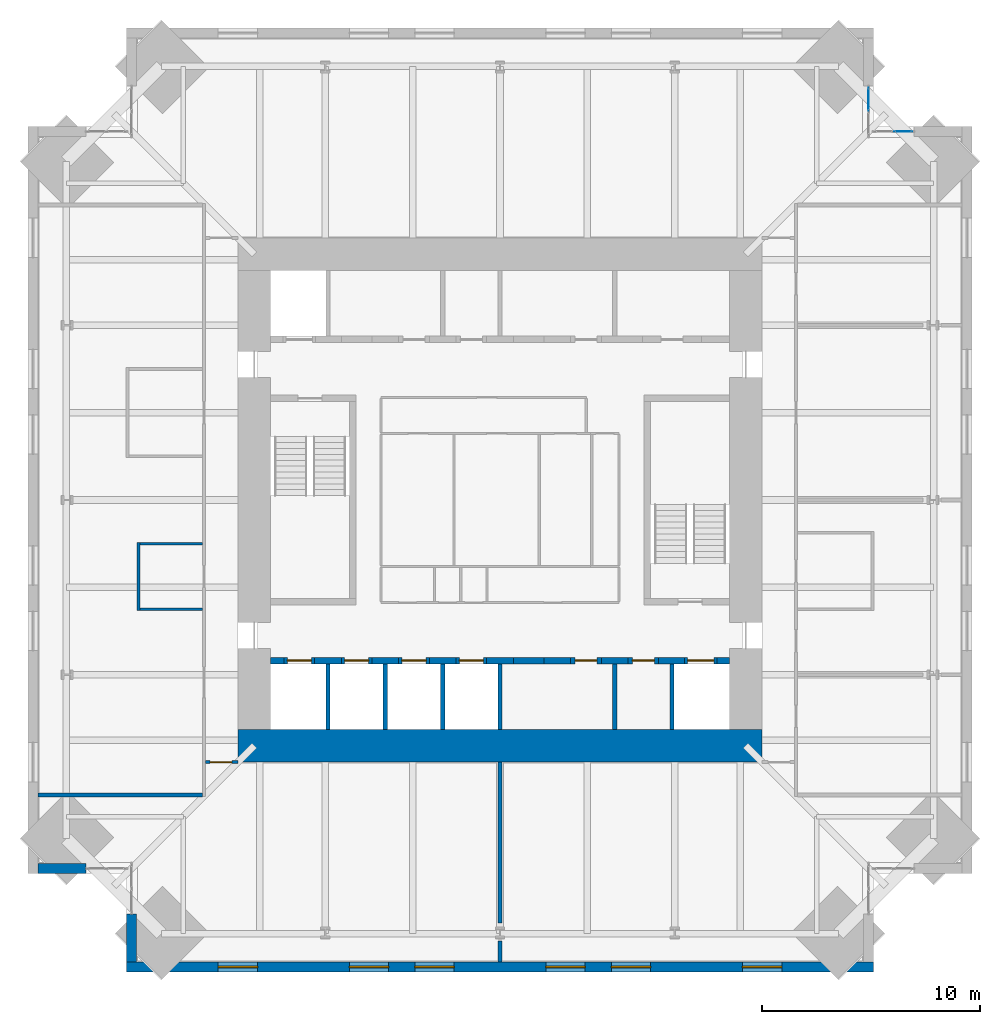
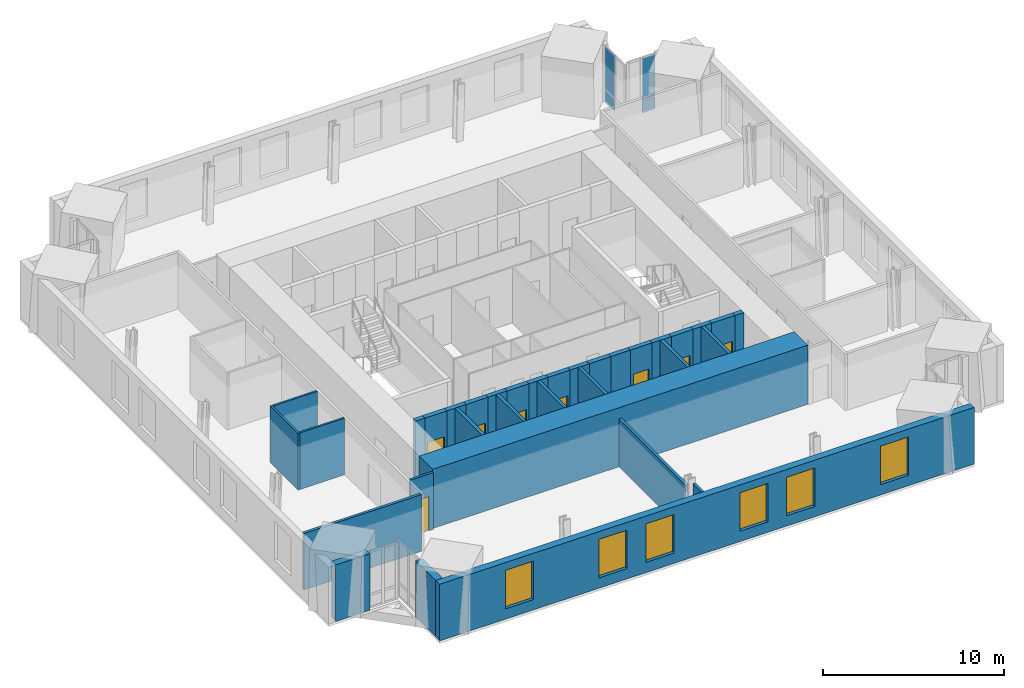
# One storey, part 11 of 16: 34 walls, 8 doors, 6 windows, 4 plates, 14 openings, 2 elements without a shape of their own.
"""IFC4 building model written with IfcOpenShell, lengths in metres."""

from ifc_helpers import new_model, si_unit, direction, frame, frame_2d, origin, origin_2d, place, context, subcontext, project, spatial, rectangle, extrude, material, layer, layer_set, type_object, element, fill, aggregate, save


model = new_model("IFC4")

# Units and contexts
model_context = context("Model", 3, precision=1e-05, world=origin(), true_north=direction((0.0, 1.0)))
body_context = subcontext(model_context, "Body", "Model", "MODEL_VIEW")
ifc_project = project(units=[si_unit("LENGTHUNIT", "METRE"), si_unit("AREAUNIT", "SQUARE_METRE"), si_unit("VOLUMEUNIT", "CUBIC_METRE"), si_unit("PLANEANGLEUNIT", "RADIAN"), si_unit("MASSUNIT", "GRAM", prefix="KILO")], contexts=[model_context])

# Site, building, storey
site_placement = place(None, origin())
site = spatial("IfcSite", under=ifc_project, at=site_placement, CompositionType="ELEMENT")
building_placement = place(site_placement, origin())
building = spatial("IfcBuilding", under=site, at=building_placement, Name="Peilmerk Tower", CompositionType="ELEMENT")
storey_placement = place(building_placement, frame((0.0, 0.0, 273.800048828125)))
storey = spatial("IfcBuildingStorey", under=building, at=storey_placement, Name="L61", CompositionType="ELEMENT", Elevation=273.800048828125)

# Curtain wall, plates
ifc_material_1 = material(Name="Aluminium stick curtain wall", Category="aluminium")
curtain_wall_type = type_object("IfcCurtainWallType", Name="CW4 stick curtain wall, 2250 module", PredefinedType="NOTDEFINED", material=ifc_material_1)
curtain_wall_1_placement = place(storey_placement, origin())
curtain_wall_1 = element("IfcCurtainWall", 1, at=curtain_wall_1_placement, inside=storey, type_object=curtain_wall_type, Name="Curtain wall CW4 NEA L61", PredefinedType="NOTDEFINED")
ifc_material_2 = material(Name="Clear insulated glazing unit", Category="glass")
ifc_layer_1 = layer(ifc_material_2, 0.028076171875)
ifc_layer_set_1 = layer_set([ifc_layer_1], Name="Clear insulated glazing unit")
plate_type = type_object("IfcPlateType", Name="CW4-P 28 glazed panel", PredefinedType="CURTAIN_PANEL", material=ifc_layer_set_1)
plate_1_placement = place(storey_placement, frame((16.875, 18.350341796875, 0.06494140625), z_axis=(0.0, 0.0, 1.0), x_axis=(0.0, 1.0, 0.0)))
plate_1 = element("IfcPlate", 2, at=plate_1_placement, type_object=plate_type, Name="CW4 panel 2.1", PredefinedType="CURTAIN_PANEL", context=body_context, shape_type="SweptSolid", body=[
    extrude(rectangle(XDim=1.046875, YDim=0.028076171875, at=origin_2d()), origin(), (0.0, 0.0, 1.0), 0.802490234375),
])
plate_2_placement = place(storey_placement, frame((16.875, 18.350341796875, 0.932373046875), z_axis=(0.0, 0.0, 1.0), x_axis=(0.0, 1.0, 0.0)))
plate_2 = element("IfcPlate", 3, at=plate_2_placement, type_object=plate_type, Name="CW4 panel 2.2", PredefinedType="CURTAIN_PANEL", context=body_context, shape_type="SweptSolid", body=[
    extrude(rectangle(XDim=1.046875, YDim=0.028076171875, at=origin_2d()), origin(), (0.0, 0.0, 1.0), 2.83251953125),
])
aggregate(curtain_wall_1, [plate_1, plate_2])

curtain_wall_2_placement = place(storey_placement, origin())
curtain_wall_2 = element("IfcCurtainWall", 4, at=curtain_wall_2_placement, inside=storey, type_object=curtain_wall_type, Name="Curtain wall CW4 NEB L61", PredefinedType="NOTDEFINED")
plate_3_placement = place(storey_placement, frame((18.462646484375, 16.875, 0.06494140625), z_axis=(0.0, 0.0, 1.0), x_axis=(1.0, 0.0, 0.0)))
plate_3 = element("IfcPlate", 5, at=plate_3_placement, type_object=plate_type, Name="CW4 panel 2.1", PredefinedType="CURTAIN_PANEL", context=body_context, shape_type="SweptSolid", body=[
    extrude(rectangle(XDim=0.82177734375, YDim=0.028076171875, at=origin_2d()), origin(), (0.0, 0.0, 1.0), 0.802490234375),
])
plate_4_placement = place(storey_placement, frame((18.462646484375, 16.875, 0.932373046875), z_axis=(0.0, 0.0, 1.0), x_axis=(1.0, 0.0, 0.0)))
plate_4 = element("IfcPlate", 6, at=plate_4_placement, type_object=plate_type, Name="CW4 panel 2.2", PredefinedType="CURTAIN_PANEL", context=body_context, shape_type="SweptSolid", body=[
    extrude(rectangle(XDim=0.82177734375, YDim=0.028076171875, at=origin_2d()), origin(), (0.0, 0.0, 1.0), 2.83251953125),
])
aggregate(curtain_wall_2, [plate_3, plate_4])

# Wall, openings, windows
ifc_material_3 = material(Name="Precast concrete C45/55, board-marked finish", Category="concrete")
ifc_layer_2 = layer(ifc_material_3, 0.449951171875)
ifc_layer_set_2 = layer_set([ifc_layer_2], Name="Precast concrete C45/55, board-marked finish")
wall_type_1 = type_object("IfcWallType", Name="EW1 450 precast concrete facade wall, board-marked", PredefinedType="SOLIDWALL", material=ifc_layer_set_2)
wall_1_placement = place(storey_placement, frame((-17.10009765625, -21.375, 0.0), z_axis=(0.0, 0.0, 1.0), x_axis=(1.0, 0.0, 0.0)))
wall_1 = element("IfcWall", 7, at=wall_1_placement, inside=storey, type_object=wall_type_1, Name="Facade wall S L61", PredefinedType="SOLIDWALL", context=body_context, shape_type="SweptSolid", body=[
    extrude(rectangle(XDim=34.2001953125, YDim=0.449951171875, at=frame_2d((17.10009765625, 0.0))), origin(), (0.0, 0.0, 1.0), 3.829833984375),
])
opening_1_placement = place(wall_1_placement, frame((4.199951171875, 0.0, 0.699951171875)))
opening_1 = element("IfcOpeningElement", 8, at=opening_1_placement, cuts=wall_1, Name="Opening W1", PredefinedType="OPENING", context=body_context, shape_type="SweptSolid", body=[
    extrude(rectangle(XDim=1.800048828125, YDim=2.60009765625, at=frame_2d((0.89990234375, 1.300048828125))), frame((0.0, 0.23486328125, 0.0), z_axis=(0.0, -1.0, 0.0), x_axis=(1.0, 0.0, 0.0)), (0.0, 0.0, 1.0), 0.469970703125),
])
opening_2_placement = place(wall_1_placement, frame((10.199951171875, 0.0, 0.699951171875)))
opening_2 = element("IfcOpeningElement", 9, at=opening_2_placement, cuts=wall_1, Name="Opening W1", PredefinedType="OPENING", context=body_context, shape_type="SweptSolid", body=[
    extrude(rectangle(XDim=1.800048828125, YDim=2.60009765625, at=frame_2d((0.89990234375, 1.300048828125))), frame((0.0, 0.23486328125, 0.0), z_axis=(0.0, -1.0, 0.0), x_axis=(1.0, 0.0, 0.0)), (0.0, 0.0, 1.0), 0.469970703125),
])
opening_3_placement = place(wall_1_placement, frame((13.199951171875, 0.0, 0.699951171875)))
opening_3 = element("IfcOpeningElement", 10, at=opening_3_placement, cuts=wall_1, Name="Opening W1", PredefinedType="OPENING", context=body_context, shape_type="SweptSolid", body=[
    extrude(rectangle(XDim=1.800048828125, YDim=2.60009765625, at=frame_2d((0.89990234375, 1.300048828125))), frame((0.0, 0.23486328125, 0.0), z_axis=(0.0, -1.0, 0.0), x_axis=(1.0, 0.0, 0.0)), (0.0, 0.0, 1.0), 0.469970703125),
])
opening_4_placement = place(wall_1_placement, frame((19.199951171875, 0.0, 0.699951171875)))
opening_4 = element("IfcOpeningElement", 11, at=opening_4_placement, cuts=wall_1, Name="Opening W1", PredefinedType="OPENING", context=body_context, shape_type="SweptSolid", body=[
    extrude(rectangle(XDim=1.800048828125, YDim=2.60009765625, at=frame_2d((0.89990234375, 1.300048828125))), frame((0.0, 0.23486328125, 0.0), z_axis=(0.0, -1.0, 0.0), x_axis=(1.0, 0.0, 0.0)), (0.0, 0.0, 1.0), 0.469970703125),
])
opening_5_placement = place(wall_1_placement, frame((22.199951171875, 0.0, 0.699951171875)))
opening_5 = element("IfcOpeningElement", 12, at=opening_5_placement, cuts=wall_1, Name="Opening W1", PredefinedType="OPENING", context=body_context, shape_type="SweptSolid", body=[
    extrude(rectangle(XDim=1.800048828125, YDim=2.60009765625, at=frame_2d((0.89990234375, 1.300048828125))), frame((0.0, 0.23486328125, 0.0), z_axis=(0.0, -1.0, 0.0), x_axis=(1.0, 0.0, 0.0)), (0.0, 0.0, 1.0), 0.469970703125),
])
opening_6_placement = place(wall_1_placement, frame((28.199951171875, 0.0, 0.699951171875)))
opening_6 = element("IfcOpeningElement", 13, at=opening_6_placement, cuts=wall_1, Name="Opening W1", PredefinedType="OPENING", context=body_context, shape_type="SweptSolid", body=[
    extrude(rectangle(XDim=1.800048828125, YDim=2.60009765625, at=frame_2d((0.89990234375, 1.300048828125))), frame((0.0, 0.23486328125, 0.0), z_axis=(0.0, -1.0, 0.0), x_axis=(1.0, 0.0, 0.0)), (0.0, 0.0, 1.0), 0.469970703125),
])
ifc_material_4 = material(Name="Aluminium frame, clear double glazing", Category="aluminium")
window_type = type_object("IfcWindowType", Name="W1 1800x2600 office window", PartitioningType="SINGLE_PANEL", PredefinedType="WINDOW", material=ifc_material_4)
window_1_placement = place(opening_1_placement, origin())
window_1 = element("IfcWindow", 14, at=window_1_placement, inside=storey, type_object=window_type, Name="Window W1 L61", OverallHeight=2.60009765625, OverallWidth=1.800048828125, PartitioningType="SINGLE_PANEL", PredefinedType="WINDOW", context=body_context, shape_type="SweptSolid", body=[
    extrude(rectangle(XDim=1.800048828125, YDim=2.60009765625, at=frame_2d((0.89990234375, 1.300048828125))), frame((0.0, 0.030029296875, 0.0), z_axis=(0.0, -1.0, 0.0), x_axis=(1.0, 0.0, 0.0)), (0.0, 0.0, 1.0), 0.06005859375),
])
fill(opening_1, window_1)
window_2_placement = place(opening_2_placement, origin())
window_2 = element("IfcWindow", 15, at=window_2_placement, inside=storey, type_object=window_type, Name="Window W1 L61", OverallHeight=2.60009765625, OverallWidth=1.800048828125, PartitioningType="SINGLE_PANEL", PredefinedType="WINDOW", context=body_context, shape_type="SweptSolid", body=[
    extrude(rectangle(XDim=1.800048828125, YDim=2.60009765625, at=frame_2d((0.89990234375, 1.300048828125))), frame((0.0, 0.030029296875, 0.0), z_axis=(0.0, -1.0, 0.0), x_axis=(1.0, 0.0, 0.0)), (0.0, 0.0, 1.0), 0.06005859375),
])
fill(opening_2, window_2)
window_3_placement = place(opening_3_placement, origin())
window_3 = element("IfcWindow", 16, at=window_3_placement, inside=storey, type_object=window_type, Name="Window W1 L61", OverallHeight=2.60009765625, OverallWidth=1.800048828125, PartitioningType="SINGLE_PANEL", PredefinedType="WINDOW", context=body_context, shape_type="SweptSolid", body=[
    extrude(rectangle(XDim=1.800048828125, YDim=2.60009765625, at=frame_2d((0.89990234375, 1.300048828125))), frame((0.0, 0.030029296875, 0.0), z_axis=(0.0, -1.0, 0.0), x_axis=(1.0, 0.0, 0.0)), (0.0, 0.0, 1.0), 0.06005859375),
])
fill(opening_3, window_3)
window_4_placement = place(opening_4_placement, origin())
window_4 = element("IfcWindow", 17, at=window_4_placement, inside=storey, type_object=window_type, Name="Window W1 L61", OverallHeight=2.60009765625, OverallWidth=1.800048828125, PartitioningType="SINGLE_PANEL", PredefinedType="WINDOW", context=body_context, shape_type="SweptSolid", body=[
    extrude(rectangle(XDim=1.800048828125, YDim=2.60009765625, at=frame_2d((0.89990234375, 1.300048828125))), frame((0.0, 0.030029296875, 0.0), z_axis=(0.0, -1.0, 0.0), x_axis=(1.0, 0.0, 0.0)), (0.0, 0.0, 1.0), 0.06005859375),
])
fill(opening_4, window_4)
window_5_placement = place(opening_5_placement, origin())
window_5 = element("IfcWindow", 18, at=window_5_placement, inside=storey, type_object=window_type, Name="Window W1 L61", OverallHeight=2.60009765625, OverallWidth=1.800048828125, PartitioningType="SINGLE_PANEL", PredefinedType="WINDOW", context=body_context, shape_type="SweptSolid", body=[
    extrude(rectangle(XDim=1.800048828125, YDim=2.60009765625, at=frame_2d((0.89990234375, 1.300048828125))), frame((0.0, 0.030029296875, 0.0), z_axis=(0.0, -1.0, 0.0), x_axis=(1.0, 0.0, 0.0)), (0.0, 0.0, 1.0), 0.06005859375),
])
fill(opening_5, window_5)
window_6_placement = place(opening_6_placement, origin())
window_6 = element("IfcWindow", 19, at=window_6_placement, inside=storey, type_object=window_type, Name="Window W1 L61", OverallHeight=2.60009765625, OverallWidth=1.800048828125, PartitioningType="SINGLE_PANEL", PredefinedType="WINDOW", context=body_context, shape_type="SweptSolid", body=[
    extrude(rectangle(XDim=1.800048828125, YDim=2.60009765625, at=frame_2d((0.89990234375, 1.300048828125))), frame((0.0, 0.030029296875, 0.0), z_axis=(0.0, -1.0, 0.0), x_axis=(1.0, 0.0, 0.0)), (0.0, 0.0, 1.0), 0.06005859375),
])
fill(opening_6, window_6)

# Walls
for number, where, z_axis, x_axis, name in (
    (20, (-16.875, -18.95361328125, 0.0), (0.0, 0.0, 1.0), (0.0, -1.0, 0.0), "Facade wall SWA L61"),
    (21, (-18.95361328125, -16.875, 0.0), (0.0, 0.0, 1.0), (-1.0, 0.0, 0.0), "Facade wall SWB L61"),
):
    element("IfcWall", number, at=place(storey_placement, frame(where, z_axis=z_axis, x_axis=x_axis)), inside=storey, type_object=wall_type_1, Name=name, PredefinedType="SOLIDWALL", context=body_context, shape_type="SweptSolid", body=[
        extrude(rectangle(XDim=2.1962890625, YDim=0.449951171875, at=frame_2d((1.09814453125, 0.0))), origin(), (0.0, 0.0, 1.0), 3.829833984375),
    ])

# Wall, opening, door
ifc_material_5 = material(Name="Calcium silicate block", Category="masonry")
ifc_layer_3 = layer(ifc_material_5, 0.14990234375)
ifc_layer_set_3 = layer_set([ifc_layer_3], Name="Calcium silicate block")
wall_type_2 = type_object("IfcWallType", Name="IW1 150 corridor partition, EI 60", PredefinedType="PARTITIONING", material=ifc_layer_set_3)
wall_2_placement = place(storey_placement, frame((-12.0, -12.0, 0.0), z_axis=(0.0, 0.0, 1.0), x_axis=(-1.0, 0.0, 0.0)))
wall_2 = element("IfcWall", 22, at=wall_2_placement, inside=storey, type_object=wall_type_2, Name="Corridor wall SW L61", PredefinedType="PARTITIONING", context=body_context, shape_type="SweptSolid", body=[
    extrude(rectangle(XDim=1.47509765625, YDim=0.14990234375, at=frame_2d((0.737548828125, 0.0))), origin(), (0.0, 0.0, 1.0), 3.829833984375),
])
opening_7_placement = place(wall_2_placement, frame((0.27490234375, 0.0, 0.0)))
opening_7 = element("IfcOpeningElement", 23, at=opening_7_placement, cuts=wall_2, Name="Opening D1", PredefinedType="OPENING", context=body_context, shape_type="SweptSolid", body=[
    extrude(rectangle(XDim=1.0, YDim=2.300048828125, at=frame_2d((0.5, 1.14990234375))), frame((0.0, 0.0849609375, 0.0), z_axis=(0.0, -1.0, 0.0), x_axis=(1.0, 0.0, 0.0)), (0.0, 0.0, 1.0), 0.169921875),
])
ifc_material_6 = material(Name="Timber door in steel frame", Category="steel")
door_type_1 = type_object("IfcDoorType", Name="D1 1000x2300 room door, EI2 30", OperationType="SINGLE_SWING_LEFT", PredefinedType="DOOR", material=ifc_material_6)
door_1_placement = place(opening_7_placement, origin())
door_1 = element("IfcDoor", 24, at=door_1_placement, inside=storey, type_object=door_type_1, Name="Door Open workspace L61", OperationType="SINGLE_SWING_LEFT", OverallHeight=2.300048828125, OverallWidth=1.0, PredefinedType="DOOR", context=body_context, shape_type="SweptSolid", body=[
    extrude(rectangle(XDim=1.0, YDim=2.300048828125, at=frame_2d((0.5, 1.14990234375))), frame((0.0, 0.02490234375, 0.0), z_axis=(0.0, -1.0, 0.0), x_axis=(1.0, 0.0, 0.0)), (0.0, 0.0, 1.0), 0.050048828125),
])
fill(opening_7, door_1)

# Walls
ifc_material_7 = material(Name="Plasterboard on steel studs, double boarded with mineral wool", Category="steel")
ifc_layer_4 = layer(ifc_material_7, 0.125)
ifc_layer_set_4 = layer_set([ifc_layer_4], Name="Plasterboard on steel studs, double boarded with mineral wool")
wall_type_3 = type_object("IfcWallType", Name="IW7 125 acoustic partition, EI 30", PredefinedType="PARTITIONING", material=ifc_layer_set_4)
wall_3_placement = place(storey_placement, frame((-16.550048828125, -5.0625, 0.0), z_axis=(0.0, 0.0, 1.0), x_axis=(0.0, 1.0, 0.0)))
element("IfcWall", 25, at=wall_3_placement, inside=storey, type_object=wall_type_3, Name="Acoustic partition Quiet room L61", PredefinedType="PARTITIONING", context=body_context, shape_type="SweptSolid", body=[
    extrude(rectangle(XDim=3.125, YDim=0.125, at=frame_2d((1.5625, 0.0))), origin(), (0.0, 0.0, 1.0), 3.829833984375),
])
for number, where, z_axis, x_axis, name in (
    (26, (-13.625, -5.0, 0.0), (0.0, 0.0, 1.0), (-1.0, 0.0, 0.0), "Acoustic partition Quiet room L61"),
    (27, (-13.625, -2.0, 0.0), (0.0, 0.0, 1.0), (-1.0, 0.0, 0.0), "Acoustic partition Quiet room L61"),
):
    element("IfcWall", number, at=place(storey_placement, frame(where, z_axis=z_axis, x_axis=x_axis)), inside=storey, type_object=wall_type_3, Name=name, PredefinedType="PARTITIONING", context=body_context, shape_type="SweptSolid", body=[
        extrude(rectangle(XDim=2.862548828125, YDim=0.125, at=frame_2d((1.43115234375, 0.0))), origin(), (0.0, 0.0, 1.0), 3.829833984375),
    ])
ifc_layer_5 = layer(ifc_material_5, 0.175048828125)
ifc_layer_set_5 = layer_set([ifc_layer_5], Name="Calcium silicate block")
wall_type_4 = type_object("IfcWallType", Name="IW8 175 tenant separating wall, EI 60", PredefinedType="PARTITIONING", material=ifc_layer_set_5)
wall_4_placement = place(storey_placement, frame((-13.625, -13.5, 0.0), z_axis=(0.0, 0.0, 1.0), x_axis=(-1.0, 0.0, 0.0)))
element("IfcWall", 28, at=wall_4_placement, inside=storey, type_object=wall_type_4, Name="Tenant separating wall SW L61", PredefinedType="PARTITIONING", context=body_context, shape_type="SweptSolid", body=[
    extrude(rectangle(XDim=7.52490234375, YDim=0.175048828125, at=frame_2d((3.762451171875, 0.0))), origin(), (0.0, 0.0, 1.0), 3.829833984375),
])
wall_5_placement = place(storey_placement, frame((0.0, -12.0, 0.0), z_axis=(0.0, 0.0, 1.0), x_axis=(0.0, -1.0, 0.0)))
element("IfcWall", 29, at=wall_5_placement, inside=storey, type_object=wall_type_4, Name="Tenant separating wall S1 L61", PredefinedType="PARTITIONING", context=body_context, shape_type="SweptSolid", body=[
    extrude(rectangle(XDim=7.365478515625, YDim=0.175048828125, at=frame_2d((3.6826171875, 0.0))), origin(), (0.0, 0.0, 1.0), 3.239990234375),
])
wall_6_placement = place(storey_placement, frame((0.0, -20.18603515625, 0.0), z_axis=(0.0, 0.0, 1.0), x_axis=(0.0, -1.0, 0.0)))
element("IfcWall", 30, at=wall_6_placement, inside=storey, type_object=wall_type_4, Name="Tenant separating wall S1b L61", PredefinedType="PARTITIONING", context=body_context, shape_type="SweptSolid", body=[
    extrude(rectangle(XDim=0.9638671875, YDim=0.175048828125, at=frame_2d((0.48193359375, 0.0))), origin(), (0.0, 0.0, 1.0), 3.829833984375),
])
ifc_layer_6 = layer(ifc_material_5, 0.199951171875)
ifc_layer_set_6 = layer_set([ifc_layer_6], Name="Calcium silicate block")
wall_type_5 = type_object("IfcWallType", Name="SH1 200 shaft dividing wall, EI 120", PredefinedType="PARTITIONING", material=ifc_layer_set_6)
for number, where, z_axis, x_axis, name in (
    (31, (-7.875, -10.5, 0.0), (0.0, 0.0, 1.0), (0.0, 1.0, 0.0), "Shaft wall S C4 L61"),
    (32, (-5.25, -10.5, 0.0), (0.0, 0.0, 1.0), (0.0, 1.0, 0.0), "Shaft wall S C3 L61"),
    (33, (-2.625, -10.5, 0.0), (0.0, 0.0, 1.0), (0.0, 1.0, 0.0), "Shaft wall S C2 L61"),
    (34, (0.0, -10.5, 0.0), (0.0, 0.0, 1.0), (0.0, 1.0, 0.0), "Shaft wall S C1 L61"),
    (35, (5.25, -10.5, 0.0), (0.0, 0.0, 1.0), (0.0, 1.0, 0.0), "Shaft wall S B2 L61"),
    (36, (7.875, -10.5, 0.0), (0.0, 0.0, 1.0), (0.0, 1.0, 0.0), "Shaft wall S B1 L61"),
):
    element("IfcWall", number, at=place(storey_placement, frame(where, z_axis=z_axis, x_axis=x_axis)), inside=storey, type_object=wall_type_5, Name=name, PredefinedType="PARTITIONING", context=body_context, shape_type="SweptSolid", body=[
        extrude(rectangle(XDim=3.0, YDim=0.199951171875, at=frame_2d((1.5, 0.0))), origin(), (0.0, 0.0, 1.0), 4.0),
    ])

# Wall, opening, door
ifc_layer_7 = layer(ifc_material_5, 0.300048828125)
ifc_layer_set_7 = layer_set([ifc_layer_7], Name="Calcium silicate block")
wall_type_6 = type_object("IfcWallType", Name="SH2 300 lift landing door panel, EI 120", PredefinedType="PARTITIONING", material=ifc_layer_set_7)
wall_7_placement = place(storey_placement, frame((-9.887451171875, -7.35009765625, 0.0), z_axis=(0.0, 0.0, 1.0), x_axis=(1.0, 0.0, 0.0)))
wall_7 = element("IfcWall", 37, at=wall_7_placement, inside=storey, type_object=wall_type_6, Name="Lift door panel S C4 L61", PredefinedType="PARTITIONING", context=body_context, shape_type="SweptSolid", body=[
    extrude(rectangle(XDim=1.39990234375, YDim=0.300048828125, at=frame_2d((0.699951171875, 0.0))), origin(), (0.0, 0.0, 1.0), 4.0),
])
opening_8_placement = place(wall_7_placement, frame((0.14990234375, 0.0, 0.0)))
opening_8 = element("IfcOpeningElement", 38, at=opening_8_placement, cuts=wall_7, Name="Opening LD1", PredefinedType="OPENING", context=body_context, shape_type="SweptSolid", body=[
    extrude(rectangle(XDim=1.10009765625, YDim=2.300048828125, at=frame_2d((0.550048828125, 1.14990234375))), frame((0.0, 0.159912109375, 0.0), z_axis=(0.0, -1.0, 0.0), x_axis=(1.0, 0.0, 0.0)), (0.0, 0.0, 1.0), 0.320068359375),
])
ifc_material_8 = material(Name="Stainless steel landing door", Category="steel")
door_type_2 = type_object("IfcDoorType", Name="LD1 1100x2300 lift landing door, sliding, EI2 60", OperationType="SLIDING_TO_LEFT", PredefinedType="DOOR", material=ifc_material_8)
door_2_placement = place(opening_8_placement, origin())
door_2 = element("IfcDoor", 39, at=door_2_placement, inside=storey, type_object=door_type_2, Name="Lift landing door C4 L61", OperationType="SLIDING_TO_LEFT", OverallHeight=2.300048828125, OverallWidth=1.10009765625, PredefinedType="DOOR", context=body_context, shape_type="SweptSolid", body=[
    extrude(rectangle(XDim=1.10009765625, YDim=2.300048828125, at=frame_2d((0.550048828125, 1.14990234375))), frame((0.0, 0.02490234375, 0.0), z_axis=(0.0, -1.0, 0.0), x_axis=(1.0, 0.0, 0.0)), (0.0, 0.0, 1.0), 0.050048828125),
])
fill(opening_8, door_2)

wall_8_placement = place(storey_placement, frame((-7.262451171875, -7.35009765625, 0.0), z_axis=(0.0, 0.0, 1.0), x_axis=(1.0, 0.0, 0.0)))
wall_8 = element("IfcWall", 40, at=wall_8_placement, inside=storey, type_object=wall_type_6, Name="Lift door panel S C3 L61", PredefinedType="PARTITIONING", context=body_context, shape_type="SweptSolid", body=[
    extrude(rectangle(XDim=1.39990234375, YDim=0.300048828125, at=frame_2d((0.699951171875, 0.0))), origin(), (0.0, 0.0, 1.0), 4.0),
])
opening_9_placement = place(wall_8_placement, frame((0.14990234375, 0.0, 0.0)))
opening_9 = element("IfcOpeningElement", 41, at=opening_9_placement, cuts=wall_8, Name="Opening LD1", PredefinedType="OPENING", context=body_context, shape_type="SweptSolid", body=[
    extrude(rectangle(XDim=1.10009765625, YDim=2.300048828125, at=frame_2d((0.550048828125, 1.14990234375))), frame((0.0, 0.159912109375, 0.0), z_axis=(0.0, -1.0, 0.0), x_axis=(1.0, 0.0, 0.0)), (0.0, 0.0, 1.0), 0.320068359375),
])
door_3_placement = place(opening_9_placement, origin())
door_3 = element("IfcDoor", 42, at=door_3_placement, inside=storey, type_object=door_type_2, Name="Lift landing door C3 L61", OperationType="SLIDING_TO_LEFT", OverallHeight=2.300048828125, OverallWidth=1.10009765625, PredefinedType="DOOR", context=body_context, shape_type="SweptSolid", body=[
    extrude(rectangle(XDim=1.10009765625, YDim=2.300048828125, at=frame_2d((0.550048828125, 1.14990234375))), frame((0.0, 0.02490234375, 0.0), z_axis=(0.0, -1.0, 0.0), x_axis=(1.0, 0.0, 0.0)), (0.0, 0.0, 1.0), 0.050048828125),
])
fill(opening_9, door_3)

wall_9_placement = place(storey_placement, frame((-4.637451171875, -7.35009765625, 0.0), z_axis=(0.0, 0.0, 1.0), x_axis=(1.0, 0.0, 0.0)))
wall_9 = element("IfcWall", 43, at=wall_9_placement, inside=storey, type_object=wall_type_6, Name="Lift door panel S C2 L61", PredefinedType="PARTITIONING", context=body_context, shape_type="SweptSolid", body=[
    extrude(rectangle(XDim=1.39990234375, YDim=0.300048828125, at=frame_2d((0.699951171875, 0.0))), origin(), (0.0, 0.0, 1.0), 4.0),
])
opening_10_placement = place(wall_9_placement, frame((0.14990234375, 0.0, 0.0)))
opening_10 = element("IfcOpeningElement", 44, at=opening_10_placement, cuts=wall_9, Name="Opening LD1", PredefinedType="OPENING", context=body_context, shape_type="SweptSolid", body=[
    extrude(rectangle(XDim=1.10009765625, YDim=2.300048828125, at=frame_2d((0.550048828125, 1.14990234375))), frame((0.0, 0.159912109375, 0.0), z_axis=(0.0, -1.0, 0.0), x_axis=(1.0, 0.0, 0.0)), (0.0, 0.0, 1.0), 0.320068359375),
])
door_4_placement = place(opening_10_placement, origin())
door_4 = element("IfcDoor", 45, at=door_4_placement, inside=storey, type_object=door_type_2, Name="Lift landing door C2 L61", OperationType="SLIDING_TO_LEFT", OverallHeight=2.300048828125, OverallWidth=1.10009765625, PredefinedType="DOOR", context=body_context, shape_type="SweptSolid", body=[
    extrude(rectangle(XDim=1.10009765625, YDim=2.300048828125, at=frame_2d((0.550048828125, 1.14990234375))), frame((0.0, 0.02490234375, 0.0), z_axis=(0.0, -1.0, 0.0), x_axis=(1.0, 0.0, 0.0)), (0.0, 0.0, 1.0), 0.050048828125),
])
fill(opening_10, door_4)

wall_10_placement = place(storey_placement, frame((-2.012451171875, -7.35009765625, 0.0), z_axis=(0.0, 0.0, 1.0), x_axis=(1.0, 0.0, 0.0)))
wall_10 = element("IfcWall", 46, at=wall_10_placement, inside=storey, type_object=wall_type_6, Name="Lift door panel S C1 L61", PredefinedType="PARTITIONING", context=body_context, shape_type="SweptSolid", body=[
    extrude(rectangle(XDim=1.39990234375, YDim=0.300048828125, at=frame_2d((0.699951171875, 0.0))), origin(), (0.0, 0.0, 1.0), 4.0),
])
opening_11_placement = place(wall_10_placement, frame((0.14990234375, 0.0, 0.0)))
opening_11 = element("IfcOpeningElement", 47, at=opening_11_placement, cuts=wall_10, Name="Opening LD1", PredefinedType="OPENING", context=body_context, shape_type="SweptSolid", body=[
    extrude(rectangle(XDim=1.10009765625, YDim=2.300048828125, at=frame_2d((0.550048828125, 1.14990234375))), frame((0.0, 0.159912109375, 0.0), z_axis=(0.0, -1.0, 0.0), x_axis=(1.0, 0.0, 0.0)), (0.0, 0.0, 1.0), 0.320068359375),
])
door_5_placement = place(opening_11_placement, origin())
door_5 = element("IfcDoor", 48, at=door_5_placement, inside=storey, type_object=door_type_2, Name="Lift landing door C1 L61", OperationType="SLIDING_TO_LEFT", OverallHeight=2.300048828125, OverallWidth=1.10009765625, PredefinedType="DOOR", context=body_context, shape_type="SweptSolid", body=[
    extrude(rectangle(XDim=1.10009765625, YDim=2.300048828125, at=frame_2d((0.550048828125, 1.14990234375))), frame((0.0, 0.02490234375, 0.0), z_axis=(0.0, -1.0, 0.0), x_axis=(1.0, 0.0, 0.0)), (0.0, 0.0, 1.0), 0.050048828125),
])
fill(opening_11, door_5)

# Wall
wall_11_placement = place(storey_placement, frame((0.612548828125, -7.35009765625, 0.0), z_axis=(0.0, 0.0, 1.0), x_axis=(1.0, 0.0, 0.0)))
element("IfcWall", 49, at=wall_11_placement, inside=storey, type_object=wall_type_6, Name="Lift door panel S B3 L61", PredefinedType="PARTITIONING", context=body_context, shape_type="SweptSolid", body=[
    extrude(rectangle(XDim=1.39990234375, YDim=0.300048828125, at=frame_2d((0.699951171875, 0.0))), origin(), (0.0, 0.0, 1.0), 4.0),
])

# Wall, opening, door
wall_12_placement = place(storey_placement, frame((3.237548828125, -7.35009765625, 0.0), z_axis=(0.0, 0.0, 1.0), x_axis=(1.0, 0.0, 0.0)))
wall_12 = element("IfcWall", 50, at=wall_12_placement, inside=storey, type_object=wall_type_6, Name="Lift door panel S B2 L61", PredefinedType="PARTITIONING", context=body_context, shape_type="SweptSolid", body=[
    extrude(rectangle(XDim=1.39990234375, YDim=0.300048828125, at=frame_2d((0.699951171875, 0.0))), origin(), (0.0, 0.0, 1.0), 4.0),
])
opening_12_placement = place(wall_12_placement, frame((0.199951171875, 0.0, 0.0)))
opening_12 = element("IfcOpeningElement", 51, at=opening_12_placement, cuts=wall_12, Name="Opening D10", PredefinedType="OPENING", context=body_context, shape_type="SweptSolid", body=[
    extrude(rectangle(XDim=1.0, YDim=2.300048828125, at=frame_2d((0.5, 1.14990234375))), frame((0.0, 0.159912109375, 0.0), z_axis=(0.0, -1.0, 0.0), x_axis=(1.0, 0.0, 0.0)), (0.0, 0.0, 1.0), 0.320068359375),
])
ifc_material_9 = material(Name="Steel door in steel frame", Category="steel")
door_type_3 = type_object("IfcDoorType", Name="D10 1000x2300 core room door, EI2 60", OperationType="SINGLE_SWING_RIGHT", PredefinedType="DOOR", material=ifc_material_9)
door_6_placement = place(opening_12_placement, frame((1.0, 0.0, 0.0), z_axis=(0.0, 0.0, 1.0), x_axis=(-1.0, 0.0, 0.0)))
door_6 = element("IfcDoor", 52, at=door_6_placement, inside=storey, type_object=door_type_3, Name="Door Mail room L61", OperationType="SINGLE_SWING_RIGHT", OverallHeight=2.300048828125, OverallWidth=1.0, PredefinedType="DOOR", context=body_context, shape_type="SweptSolid", body=[
    extrude(rectangle(XDim=1.0, YDim=2.300048828125, at=frame_2d((0.5, 1.14990234375))), frame((0.0, 0.02490234375, 0.0), z_axis=(0.0, -1.0, 0.0), x_axis=(1.0, 0.0, 0.0)), (0.0, 0.0, 1.0), 0.050048828125),
])
fill(opening_12, door_6)

wall_13_placement = place(storey_placement, frame((5.862548828125, -7.35009765625, 0.0), z_axis=(0.0, 0.0, 1.0), x_axis=(1.0, 0.0, 0.0)))
wall_13 = element("IfcWall", 53, at=wall_13_placement, inside=storey, type_object=wall_type_6, Name="Lift door panel S B1 L61", PredefinedType="PARTITIONING", context=body_context, shape_type="SweptSolid", body=[
    extrude(rectangle(XDim=1.39990234375, YDim=0.300048828125, at=frame_2d((0.699951171875, 0.0))), origin(), (0.0, 0.0, 1.0), 4.0),
])
opening_13_placement = place(wall_13_placement, frame((0.199951171875, 0.0, 0.0)))
opening_13 = element("IfcOpeningElement", 54, at=opening_13_placement, cuts=wall_13, Name="Opening D10", PredefinedType="OPENING", context=body_context, shape_type="SweptSolid", body=[
    extrude(rectangle(XDim=1.0, YDim=2.300048828125, at=frame_2d((0.5, 1.14990234375))), frame((0.0, 0.159912109375, 0.0), z_axis=(0.0, -1.0, 0.0), x_axis=(1.0, 0.0, 0.0)), (0.0, 0.0, 1.0), 0.320068359375),
])
door_7_placement = place(opening_13_placement, frame((1.0, 0.0, 0.0), z_axis=(0.0, 0.0, 1.0), x_axis=(-1.0, 0.0, 0.0)))
door_7 = element("IfcDoor", 55, at=door_7_placement, inside=storey, type_object=door_type_3, Name="Door Electrical room L61", OperationType="SINGLE_SWING_RIGHT", OverallHeight=2.300048828125, OverallWidth=1.0, PredefinedType="DOOR", context=body_context, shape_type="SweptSolid", body=[
    extrude(rectangle(XDim=1.0, YDim=2.300048828125, at=frame_2d((0.5, 1.14990234375))), frame((0.0, 0.02490234375, 0.0), z_axis=(0.0, -1.0, 0.0), x_axis=(1.0, 0.0, 0.0)), (0.0, 0.0, 1.0), 0.050048828125),
])
fill(opening_13, door_7)

wall_14_placement = place(storey_placement, frame((8.4375, -7.35009765625, 0.0), z_axis=(0.0, 0.0, 1.0), x_axis=(1.0, 0.0, 0.0)))
wall_14 = element("IfcWall", 56, at=wall_14_placement, inside=storey, type_object=wall_type_6, Name="Lift door panel S FL2 L61", PredefinedType="PARTITIONING", context=body_context, shape_type="SweptSolid", body=[
    extrude(rectangle(XDim=1.5, YDim=0.300048828125, at=frame_2d((0.75, 0.0))), origin(), (0.0, 0.0, 1.0), 4.0),
])
opening_14_placement = place(wall_14_placement, frame((0.14990234375, 0.0, 0.0)))
opening_14 = element("IfcOpeningElement", 57, at=opening_14_placement, cuts=wall_14, Name="Opening LD2", PredefinedType="OPENING", context=body_context, shape_type="SweptSolid", body=[
    extrude(rectangle(XDim=1.199951171875, YDim=2.300048828125, at=frame_2d((0.60009765625, 1.14990234375))), frame((0.0, 0.159912109375, 0.0), z_axis=(0.0, -1.0, 0.0), x_axis=(1.0, 0.0, 0.0)), (0.0, 0.0, 1.0), 0.320068359375),
])
door_type_4 = type_object("IfcDoorType", Name="LD2 1200x2300 lift landing door, sliding, EI2 60", OperationType="SLIDING_TO_LEFT", PredefinedType="DOOR", material=ifc_material_8)
door_8_placement = place(opening_14_placement, origin())
door_8 = element("IfcDoor", 58, at=door_8_placement, inside=storey, type_object=door_type_4, Name="Lift landing door FL2 L61", OperationType="SLIDING_TO_LEFT", OverallHeight=2.300048828125, OverallWidth=1.199951171875, PredefinedType="DOOR", context=body_context, shape_type="SweptSolid", body=[
    extrude(rectangle(XDim=1.199951171875, YDim=2.300048828125, at=frame_2d((0.60009765625, 1.14990234375))), frame((0.0, 0.02490234375, 0.0), z_axis=(0.0, -1.0, 0.0), x_axis=(1.0, 0.0, 0.0)), (0.0, 0.0, 1.0), 0.050048828125),
])
fill(opening_14, door_8)

# Walls
ifc_material_10 = material(Name="Concrete C55/67", Category="concrete")
ifc_layer_8 = layer(ifc_material_10, 1.5)
ifc_layer_set_8 = layer_set([ifc_layer_8], Name="Concrete C55/67")
wall_type_7 = type_object("IfcWallType", Name="SW1 1500 core wall", PredefinedType="SHEAR", material=ifc_layer_set_8)
wall_15_placement = place(storey_placement, frame((12.0, -11.25, 0.0), z_axis=(0.0, 0.0, 1.0), x_axis=(-1.0, 0.0, 0.0)))
element("IfcWall", 59, at=wall_15_placement, inside=storey, type_object=wall_type_7, Name="Core wall S L61", PredefinedType="SHEAR", context=body_context, shape_type="SweptSolid", body=[
    extrude(rectangle(XDim=24.0, YDim=1.5, at=frame_2d((12.0, 0.0))), origin(), (0.0, 0.0, 1.0), 4.0),
])
ifc_layer_9 = layer(ifc_material_10, 0.300048828125)
ifc_layer_set_9 = layer_set([ifc_layer_9], Name="Concrete C55/67")
wall_type_8 = type_object("IfcWallType", Name="SW2 300 lift bank pier", PredefinedType="SHEAR", material=ifc_layer_set_9)
wall_16_placement = place(storey_placement, frame((-10.5, -7.35009765625, 0.0), z_axis=(0.0, 0.0, 1.0), x_axis=(1.0, 0.0, 0.0)))
element("IfcWall", 60, at=wall_16_placement, inside=storey, type_object=wall_type_8, Name="Lift bank pier S L61", PredefinedType="SHEAR", context=body_context, shape_type="SweptSolid", body=[
    extrude(rectangle(XDim=0.612548828125, YDim=0.300048828125, at=frame_2d((0.30615234375, 0.0))), origin(), (0.0, 0.0, 1.0), 4.0),
])
for number, where, z_axis, x_axis, name in (
    (61, (-8.487548828125, -7.35009765625, 0.0), (0.0, 0.0, 1.0), (1.0, 0.0, 0.0), "Lift bank pier S L61"),
    (62, (-5.862548828125, -7.35009765625, 0.0), (0.0, 0.0, 1.0), (1.0, 0.0, 0.0), "Lift bank pier S L61"),
    (63, (-3.237548828125, -7.35009765625, 0.0), (0.0, 0.0, 1.0), (1.0, 0.0, 0.0), "Lift bank pier S L61"),
    (64, (-0.612548828125, -7.35009765625, 0.0), (0.0, 0.0, 1.0), (1.0, 0.0, 0.0), "Lift bank pier S L61"),
    (65, (2.012451171875, -7.35009765625, 0.0), (0.0, 0.0, 1.0), (1.0, 0.0, 0.0), "Lift bank pier S L61"),
    (66, (4.637451171875, -7.35009765625, 0.0), (0.0, 0.0, 1.0), (1.0, 0.0, 0.0), "Lift bank pier S L61"),
):
    element("IfcWall", number, at=place(storey_placement, frame(where, z_axis=z_axis, x_axis=x_axis)), inside=storey, type_object=wall_type_8, Name=name, PredefinedType="SHEAR", context=body_context, shape_type="SweptSolid", body=[
        extrude(rectangle(XDim=1.22509765625, YDim=0.300048828125, at=frame_2d((0.612548828125, 0.0))), origin(), (0.0, 0.0, 1.0), 4.0),
    ])
wall_17_placement = place(storey_placement, frame((7.262451171875, -7.35009765625, 0.0), z_axis=(0.0, 0.0, 1.0), x_axis=(1.0, 0.0, 0.0)))
element("IfcWall", 67, at=wall_17_placement, inside=storey, type_object=wall_type_8, Name="Lift bank pier S L61", PredefinedType="SHEAR", context=body_context, shape_type="SweptSolid", body=[
    extrude(rectangle(XDim=1.175048828125, YDim=0.300048828125, at=frame_2d((0.58740234375, 0.0))), origin(), (0.0, 0.0, 1.0), 4.0),
])
wall_18_placement = place(storey_placement, frame((9.9375, -7.35009765625, 0.0), z_axis=(0.0, 0.0, 1.0), x_axis=(1.0, 0.0, 0.0)))
element("IfcWall", 68, at=wall_18_placement, inside=storey, type_object=wall_type_8, Name="Lift bank pier S L61", PredefinedType="SHEAR", context=body_context, shape_type="SweptSolid", body=[
    extrude(rectangle(XDim=0.5625, YDim=0.300048828125, at=frame_2d((0.28125, 0.0))), origin(), (0.0, 0.0, 1.0), 4.0),
])

save(model, "model.ifc")
